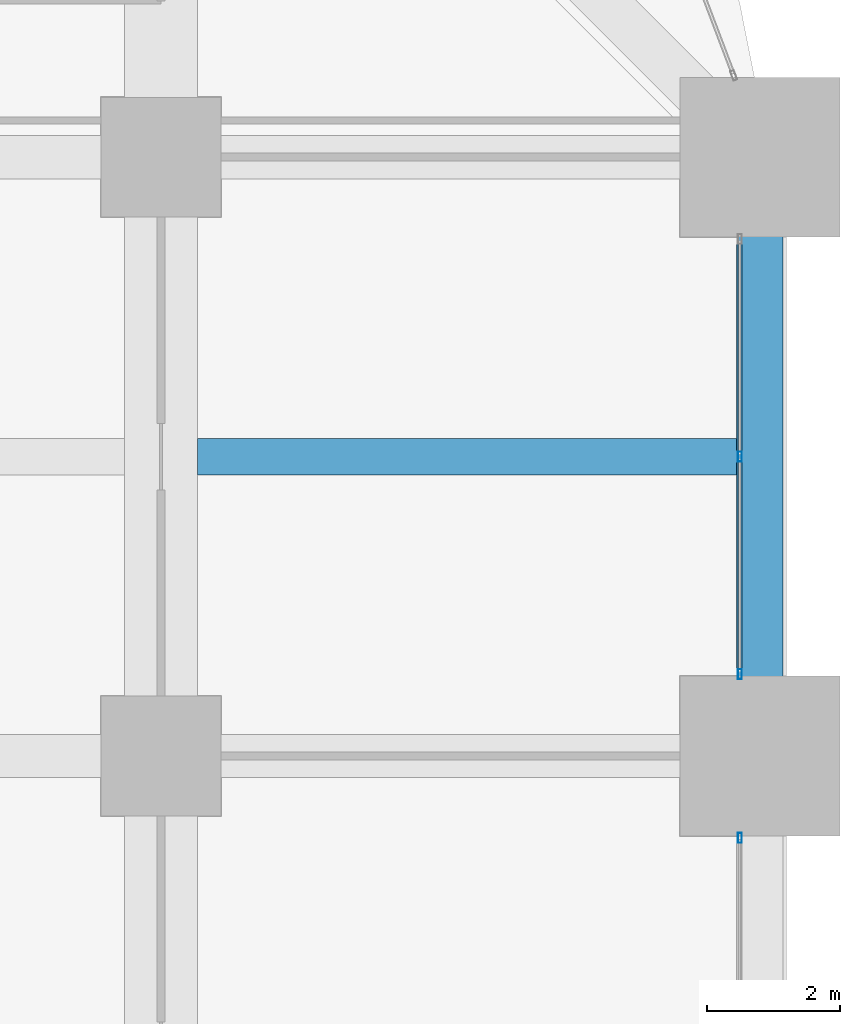
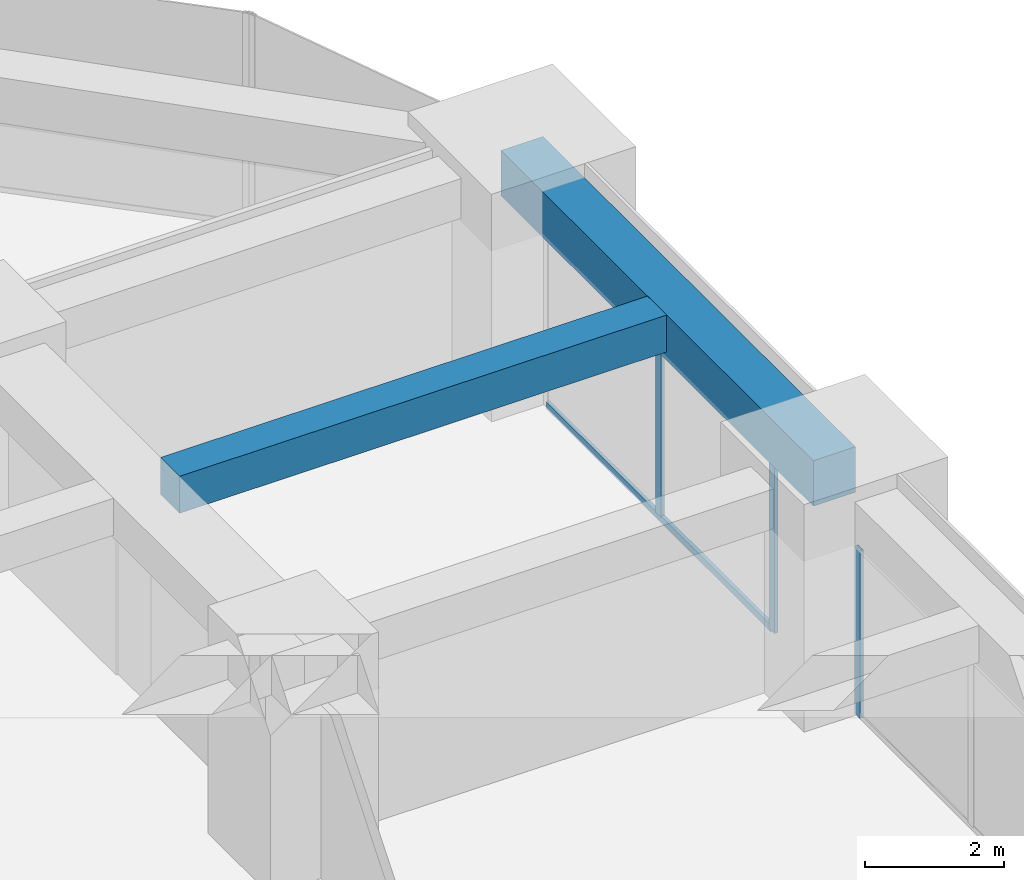
# One storey, part 23 of 40: 4 members, 2 beams, 2 elements without a shape of their own.
"""IFC4 building model written with IfcOpenShell, lengths in metres."""

from ifc_helpers import new_model, si_unit, direction, frame, origin, origin_2d, place, context, subcontext, project, spatial, rectangle, hollow_rectangle, extrude, material, material_profile, profile_set, type_object, element, aggregate, save


model = new_model("IFC4")

# Units and contexts
model_context = context("Model", 3, precision=1e-05, world=origin(), true_north=direction((0.0, 1.0)))
body_context = subcontext(model_context, "Body", "Model", "MODEL_VIEW")
ifc_project = project(units=[si_unit("LENGTHUNIT", "METRE"), si_unit("AREAUNIT", "SQUARE_METRE"), si_unit("VOLUMEUNIT", "CUBIC_METRE"), si_unit("PLANEANGLEUNIT", "RADIAN"), si_unit("MASSUNIT", "GRAM", prefix="KILO")], contexts=[model_context])

# Site, building, storey
site_placement = place(None, origin())
site = spatial("IfcSite", under=ifc_project, at=site_placement, CompositionType="ELEMENT")
building_placement = place(site_placement, origin())
building = spatial("IfcBuilding", under=site, at=building_placement, Name="Zorevar Civic Tower", CompositionType="ELEMENT")
storey_placement = place(building_placement, frame((0.0, 0.0, 133.0)))
storey = spatial("IfcBuildingStorey", under=building, at=storey_placement, Name="L32", CompositionType="ELEMENT", Elevation=133.0)

# Beam
ifc_material_1 = material(Name="Concrete C50/60", Category="concrete")
ifc_material_profile_1 = material_profile(ifc_material_1, rectangle(XDim=0.550048828125, YDim=0.64990234375, at=origin_2d()), Name="RC 550x650")
ifc_profile_set_1 = profile_set([ifc_material_profile_1], Name="Concrete C50/60")
beam_type_1 = type_object("IfcBeamType", Name="Beam RC 550x650", PredefinedType="BEAM", material=ifc_profile_set_1)
beam_1_placement = place(storey_placement, frame((54.550048828125, 31.5, 3.425048828125), z_axis=(1.0, 0.0, 0.0), x_axis=(0.0, 1.0, 0.0)))
element("IfcBeam", 1, at=beam_1_placement, inside=storey, type_object=beam_type_1, Name="Secondary beam L33", PredefinedType="BEAM", context=body_context, shape_type="SweptSolid", body=[
    extrude(rectangle(XDim=0.550048828125, YDim=0.64990234375, at=origin_2d()), origin(), (0.0, 0.0, 1.0), 8.099853515625),
])

# Curtain wall, member
ifc_material_2 = material(Name="Dark grey solar-control glass in black aluminium frame", Category="aluminium")
curtain_wall_type = type_object("IfcCurtainWallType", Name="Curtain wall CW3 mid zone", PredefinedType="NOTDEFINED", material=ifc_material_2)
curtain_wall_1_placement = place(storey_placement, origin())
curtain_wall_1 = element("IfcCurtainWall", 2, at=curtain_wall_1_placement, inside=storey, type_object=curtain_wall_type, Name="CW3 L32", PredefinedType="NOTDEFINED")
ifc_material_3 = material(Name="Aluminium, black anodised", Category="aluminium")
ifc_material_profile_2 = material_profile(ifc_material_3, hollow_rectangle(XDim=0.06005859375, YDim=0.14990234375, WallThickness=0.00390625, at=origin_2d()), Name="AL 150x60x4")
ifc_profile_set_2 = profile_set([ifc_material_profile_2], Name="Aluminium, black anodised")
member_type_1 = type_object("IfcMemberType", Name="CW3 mullion AL 150x60x4", PredefinedType="MULLION", material=ifc_profile_set_2)
member_1_placement = place(storey_placement, frame((62.699951171875, 25.77001953125, 0.0), z_axis=(0.0, 0.0, 1.0), x_axis=(-1.0, 0.0, 0.0)))
member_1 = element("IfcMember", 3, at=member_1_placement, type_object=member_type_1, Name="CW3 mullion 3", PredefinedType="MULLION", context=body_context, shape_type="SweptSolid", body=[
    extrude(hollow_rectangle(XDim=0.06005859375, YDim=0.14990234375, WallThickness=0.00390625, at=origin_2d()), origin(), (0.0, 0.0, 1.0), 2.949951171875),
])
aggregate(curtain_wall_1, [member_1])

# Curtain wall, members
curtain_wall_2_placement = place(storey_placement, origin())
curtain_wall_2 = element("IfcCurtainWall", 4, at=curtain_wall_2_placement, inside=storey, type_object=curtain_wall_type, Name="CW3 L32", PredefinedType="NOTDEFINED")
member_2_placement = place(storey_placement, frame((62.699951171875, 28.22998046875, 0.0), z_axis=(0.0, 0.0, 1.0), x_axis=(-1.0, 0.0, 0.0)))
member_2 = element("IfcMember", 5, at=member_2_placement, type_object=member_type_1, Name="CW3 mullion 1", PredefinedType="MULLION", context=body_context, shape_type="SweptSolid", body=[
    extrude(hollow_rectangle(XDim=0.06005859375, YDim=0.14990234375, WallThickness=0.00390625, at=origin_2d()), origin(), (0.0, 0.0, 1.0), 2.949951171875),
])
member_3_placement = place(storey_placement, frame((62.699951171875, 31.5, 0.06005859375), z_axis=(0.0, 0.0, 1.0), x_axis=(-1.0, 0.0, 0.0)))
member_3 = element("IfcMember", 6, at=member_3_placement, type_object=member_type_1, Name="CW3 mullion 2", PredefinedType="MULLION", context=body_context, shape_type="SweptSolid", body=[
    extrude(hollow_rectangle(XDim=0.06005859375, YDim=0.14990234375, WallThickness=0.00390625, at=origin_2d()), origin(), (0.0, 0.0, 1.0), 2.889892578125),
])
ifc_material_4 = material(Name="Aluminium, black anodised", Category="aluminium")
ifc_material_profile_3 = material_profile(ifc_material_4, hollow_rectangle(XDim=0.06005859375, YDim=0.1201171875, WallThickness=0.0029296875, at=origin_2d()), Name="AL 120x60x3")
ifc_profile_set_3 = profile_set([ifc_material_profile_3], Name="Aluminium, black anodised")
member_type_2 = type_object("IfcMemberType", Name="CW3 transom AL 120x60x3", PredefinedType="USERDEFINED", material=ifc_profile_set_3)
member_4_placement = place(storey_placement, frame((62.699951171875, 28.260009765625, 0.030029296875), z_axis=(0.0, 1.0, 0.0), x_axis=(-1.0, 0.0, 0.0)))
member_4 = element("IfcMember", 7, at=member_4_placement, type_object=member_type_2, Name="CW3 sill transom", ObjectType="TRANSOM", PredefinedType="USERDEFINED", context=body_context, shape_type="SweptSolid", body=[
    extrude(hollow_rectangle(XDim=0.06005859375, YDim=0.1201171875, WallThickness=0.0029296875, at=origin_2d()), origin(), (0.0, 0.0, 1.0), 6.47998046875),
])
aggregate(curtain_wall_2, [member_2, member_3, member_4])

# Beam
ifc_material_5 = material(Name="Concrete C50/60", Category="concrete")
ifc_material_profile_4 = material_profile(ifc_material_5, rectangle(XDim=0.699951171875, YDim=0.800048828125, at=origin_2d()), Name="RC 700x800")
ifc_profile_set_4 = profile_set([ifc_material_profile_4], Name="Concrete C50/60")
beam_type_2 = type_object("IfcBeamType", Name="Edge beam RC 700x800", PredefinedType="SPANDREL", material=ifc_profile_set_4)
beam_2_placement = place(storey_placement, frame((63.0, 27.0, 3.35009765625), z_axis=(0.0, 1.0, 0.0), x_axis=(-1.0, 0.0, 0.0)))
element("IfcBeam", 8, at=beam_2_placement, inside=storey, type_object=beam_type_2, Name="Edge beam L33", PredefinedType="SPANDREL", context=body_context, shape_type="SweptSolid", body=[
    extrude(rectangle(XDim=0.699951171875, YDim=0.800048828125, at=origin_2d()), origin(), (0.0, 0.0, 1.0), 9.0),
])

save(model, "model.ifc")
